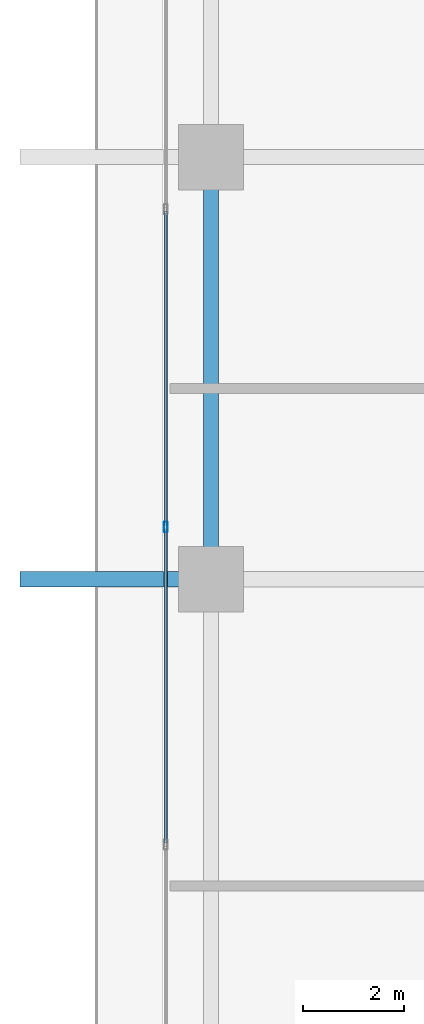
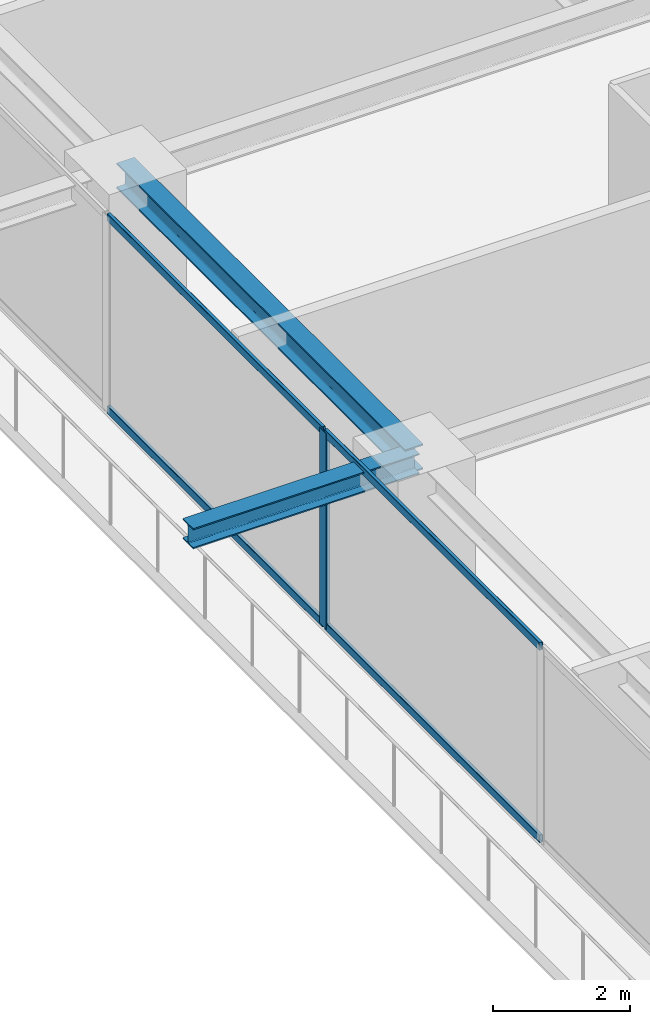
# One storey, part 6 of 33: 5 members, 2 beams, 1 element without a shape of its own.
"""IFC4 building model written with IfcOpenShell, lengths in metres."""

from ifc_helpers import new_model, si_unit, direction, frame, origin, origin_2d, place, context, subcontext, project, spatial, hollow_rectangle, i_section, extrude, source, transform, mapped, material, layer, layer_set, material_profile, profile_set, type_object, element, aggregate, save


model = new_model("IFC4")

# Units and contexts
model_context = context("Model", 3, precision=1e-05, world=origin(), true_north=direction((0.0, 1.0)))
body_context = subcontext(model_context, "Body", "Model", "MODEL_VIEW")
ifc_project = project(units=[si_unit("LENGTHUNIT", "METRE"), si_unit("AREAUNIT", "SQUARE_METRE"), si_unit("VOLUMEUNIT", "CUBIC_METRE"), si_unit("PLANEANGLEUNIT", "RADIAN"), si_unit("MASSUNIT", "GRAM", prefix="KILO")], contexts=[model_context])

# Site, building, storey
site_placement = place(None, origin())
site = spatial("IfcSite", under=ifc_project, at=site_placement, CompositionType="ELEMENT")
building_placement = place(site_placement, origin())
building = spatial("IfcBuilding", under=site, at=building_placement, Name="Serunith Strait Residences", CompositionType="ELEMENT")
storey_placement = place(building_placement, frame((0.0, 0.0, 150.14990234375)))
storey = spatial("IfcBuildingStorey", under=building, at=storey_placement, Name="L37", CompositionType="ELEMENT", Elevation=150.14990234375)

# Beams
ifc_material_1 = material(Name="Steel S355J2", Category="steel")
ifc_material_profile_1 = material_profile(ifc_material_1, i_section(OverallWidth=0.300048828125, OverallDepth=0.449951171875, WebThickness=0.013916015625, FlangeThickness=0.02587890625, FilletRadius=0.027099609375, at=origin_2d()), Name="HEB 450")
ifc_profile_set_1 = profile_set([ifc_material_profile_1], Name="Steel S355J2")
beam_type_1 = type_object("IfcBeamType", Name="BM-HEB450", PredefinedType="BEAM", material=ifc_profile_set_1)
shared_shape_1 = source(origin(), body_context, "Body", "SweptSolid", [
    extrude(i_section(OverallWidth=0.300048828125, OverallDepth=0.449951171875, WebThickness=0.013916015625, FlangeThickness=0.02587890625, FilletRadius=0.027099609375, at=origin_2d()), origin(), (0.0, 0.0, 1.0), 8.39990234375),
])
beam_1_placement = place(storey_placement, frame((8.699951171875, 29.39990234375, 3.26220703125), z_axis=(0.0, -1.0, 0.0), x_axis=(1.0, 0.0, 0.0)))
element("IfcBeam", 1, at=beam_1_placement, inside=storey, type_object=beam_type_1, Name="L37 Perimeter Ring Beam 14", PredefinedType="BEAM", context=body_context, shape_type="MappedRepresentation", body=[
    mapped(shared_shape_1, transform((0.0, 0.0, 0.0), scale=1.0)),
])
ifc_material_profile_2 = material_profile(ifc_material_1, i_section(OverallWidth=0.300048828125, OverallDepth=0.360107421875, WebThickness=0.012451171875, FlangeThickness=0.0224609375, FilletRadius=0.027099609375, at=origin_2d()), Name="HEB 360")
ifc_profile_set_2 = profile_set([ifc_material_profile_2], Name="Steel S355J2")
beam_type_2 = type_object("IfcBeamType", Name="BM-HEB360", PredefinedType="BEAM", material=ifc_profile_set_2)
shared_shape_2 = source(origin(), body_context, "Body", "SweptSolid", [
    extrude(i_section(OverallWidth=0.300048828125, OverallDepth=0.360107421875, WebThickness=0.012451171875, FlangeThickness=0.0224609375, FilletRadius=0.027099609375, at=origin_2d()), origin(), (0.0, 0.0, 1.0), 3.800048828125),
])
beam_2_placement = place(storey_placement, frame((8.699951171875, 21.0, 3.277099609375), z_axis=(-1.0, 0.0, 0.0), x_axis=(0.0, -1.0, 0.0)))
element("IfcBeam", 2, at=beam_2_placement, inside=storey, type_object=beam_type_2, Name="L38 Cantilevered Balcony Rib TC-W2", PredefinedType="BEAM", context=body_context, shape_type="MappedRepresentation", body=[
    mapped(shared_shape_2, transform((0.0, 0.0, 0.0), scale=1.0)),
])

# Curtain wall, members
ifc_material_2 = material(Name="Pale-Champagne Anodised Aluminium", Category="aluminium")
ifc_layer = layer(ifc_material_2, 0.199951171875, Name="Pale-Champagne Anodised Aluminium")
ifc_layer_set = layer_set([ifc_layer], Name="Pale-Champagne Anodised Aluminium")
curtain_wall_type = type_object("IfcCurtainWallType", Name="CW-SYS2", PredefinedType="NOTDEFINED", material=ifc_layer_set)
curtain_wall_placement = place(storey_placement, origin())
curtain_wall = element("IfcCurtainWall", 3, at=curtain_wall_placement, inside=storey, type_object=curtain_wall_type, Name="L37 W Unitised Fritted Curtain Wall", PredefinedType="NOTDEFINED")
ifc_material_profile_3 = material_profile(ifc_material_2, hollow_rectangle(XDim=0.070068359375, YDim=0.199951171875, WallThickness=0.00390625, InnerFilletRadius=0.006103515625, OuterFilletRadius=0.010009765625, at=origin_2d()), Name="ALU 200x70x4")
ifc_profile_set_3 = profile_set([ifc_material_profile_3], Name="Pale-Champagne Anodised Aluminium")
member_type_1 = type_object("IfcMemberType", Name="CW-SYS2-MULL", PredefinedType="MULLION", material=ifc_profile_set_3)
shared_shape_3 = source(origin(), body_context, "Body", "SweptSolid", [
    extrude(hollow_rectangle(XDim=0.070068359375, YDim=0.199951171875, WallThickness=0.00390625, InnerFilletRadius=0.006103515625, OuterFilletRadius=0.010009765625, at=origin_2d()), origin(), (0.0, 0.0, 1.0), 3.47509765625),
])
member_1_placement = place(storey_placement, frame((7.800048828125, 22.0400390625, 0.0), z_axis=(0.0, 0.0, 1.0), x_axis=(1.0, 0.0, 0.0)))
member_1 = element("IfcMember", 4, at=member_1_placement, type_object=member_type_1, Name="CW-2 mullion 4", PredefinedType="MULLION", context=body_context, shape_type="MappedRepresentation", body=[
    mapped(shared_shape_3, transform((0.0, 0.0, 0.0), scale=1.0)),
])
ifc_material_profile_4 = material_profile(ifc_material_2, hollow_rectangle(XDim=0.06005859375, YDim=0.139892578125, WallThickness=0.00341796875, InnerFilletRadius=0.00537109375, OuterFilletRadius=0.0087890625, at=origin_2d()), Name="ALU 140x60x3.5")
ifc_profile_set_4 = profile_set([ifc_material_profile_4], Name="Pale-Champagne Anodised Aluminium")
member_type_2 = type_object("IfcMemberType", Name="CW-SYS2-TRAN", PredefinedType="USERDEFINED", material=ifc_profile_set_4)
shared_shape_4 = source(origin(), body_context, "Body", "SweptSolid", [
    extrude(hollow_rectangle(XDim=0.06005859375, YDim=0.139892578125, WallThickness=0.00341796875, InnerFilletRadius=0.00537109375, OuterFilletRadius=0.0087890625, at=origin_2d()), origin(), (0.0, 0.0, 1.0), 6.25),
])
member_2_placement = place(storey_placement, frame((7.800048828125, 28.324951171875, 0.030029296875), z_axis=(0.0, -1.0, 0.0), x_axis=(1.0, 0.0, 0.0)))
member_2 = element("IfcMember", 5, at=member_2_placement, type_object=member_type_2, Name="CW-2 transom 3.1", ObjectType="TRANSOM", PredefinedType="USERDEFINED", context=body_context, shape_type="MappedRepresentation", body=[
    mapped(shared_shape_4, transform((0.0, 0.0, 0.0), scale=1.0)),
])
member_3_placement = place(storey_placement, frame((7.800048828125, 28.324951171875, 3.445068359375), z_axis=(0.0, -1.0, 0.0), x_axis=(1.0, 0.0, 0.0)))
member_3 = element("IfcMember", 6, at=member_3_placement, type_object=member_type_2, Name="CW-2 transom 3.2", ObjectType="TRANSOM", PredefinedType="USERDEFINED", context=body_context, shape_type="MappedRepresentation", body=[
    mapped(shared_shape_4, transform((0.0, 0.0, 0.0), scale=1.0)),
])
member_4_placement = place(storey_placement, frame((7.800048828125, 22.0048828125, 0.030029296875), z_axis=(0.0, -1.0, 0.0), x_axis=(1.0, 0.0, 0.0)))
member_4 = element("IfcMember", 7, at=member_4_placement, type_object=member_type_2, Name="CW-2 transom 4.1", ObjectType="TRANSOM", PredefinedType="USERDEFINED", context=body_context, shape_type="MappedRepresentation", body=[
    mapped(shared_shape_4, transform((0.0, 0.0, 0.0), scale=1.0)),
])
member_5_placement = place(storey_placement, frame((7.800048828125, 22.0048828125, 3.445068359375), z_axis=(0.0, -1.0, 0.0), x_axis=(1.0, 0.0, 0.0)))
member_5 = element("IfcMember", 8, at=member_5_placement, type_object=member_type_2, Name="CW-2 transom 4.2", ObjectType="TRANSOM", PredefinedType="USERDEFINED", context=body_context, shape_type="MappedRepresentation", body=[
    mapped(shared_shape_4, transform((0.0, 0.0, 0.0), scale=1.0)),
])
aggregate(curtain_wall, [member_1, member_2, member_3, member_4, member_5])

save(model, "model.ifc")
